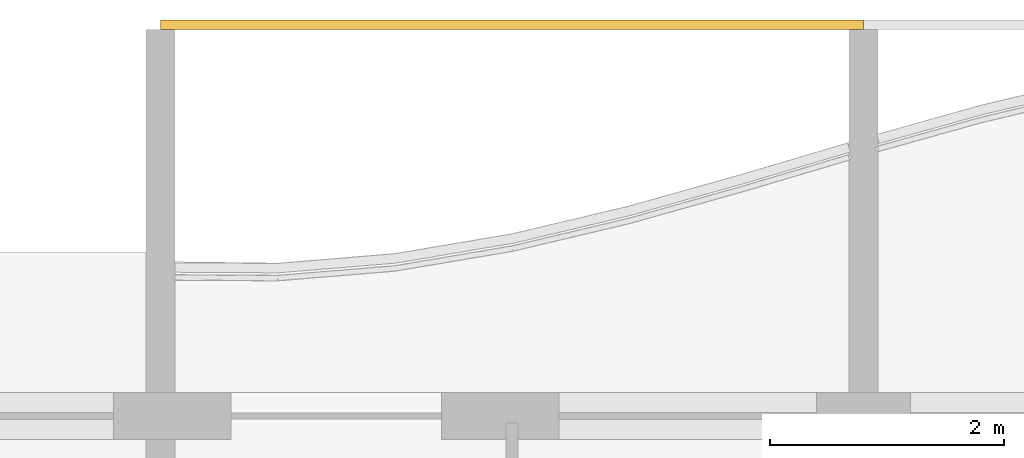
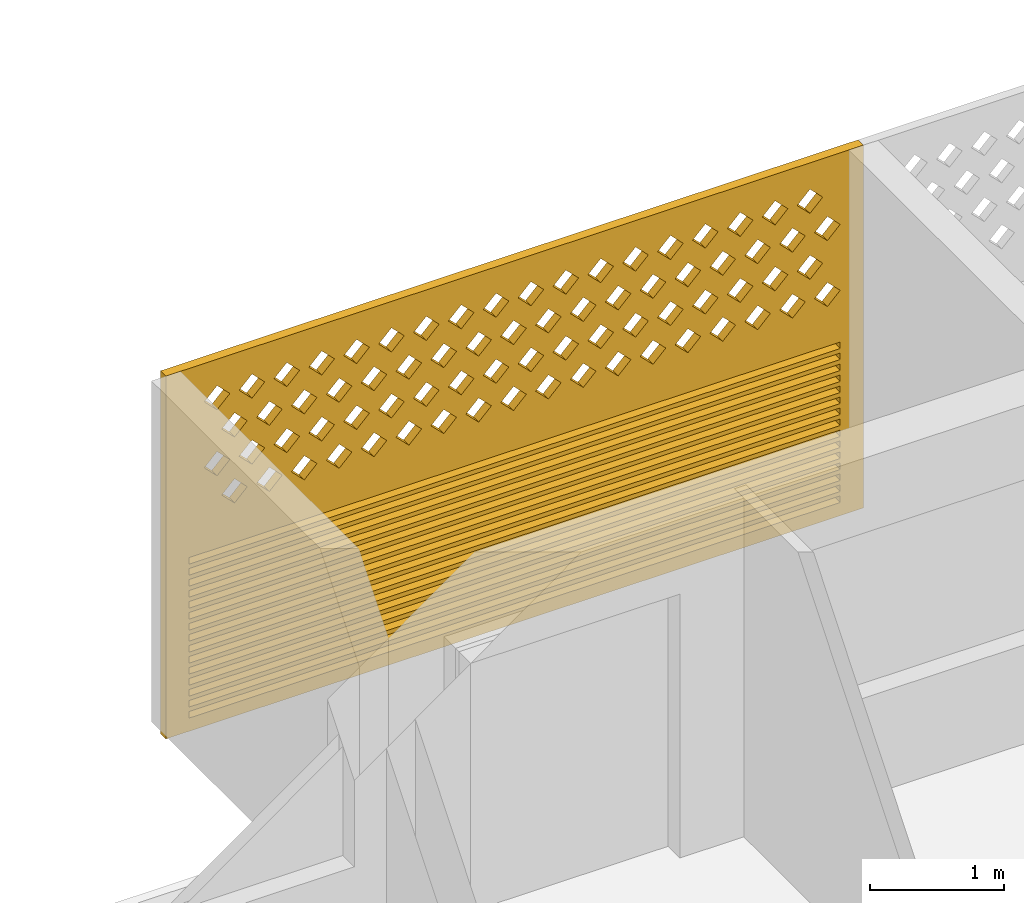
# One storey, part 24 of 26: 1 covering.
"""IFC4 building model written with IfcOpenShell, lengths in metres."""

from ifc_helpers import new_model, si_unit, direction, frame, origin, place, context, subcontext, project, spatial, polyline, outline, extrude, source, transform, mapped, material, material_profile, profile_set, type_object, element, save


model = new_model("IFC4")

# Units and contexts
model_context = context("Model", 3, precision=1e-05, world=origin(), true_north=direction((0.0, 1.0)))
body_context = subcontext(model_context, "Body", "Model", "MODEL_VIEW")
ifc_project = project(units=[si_unit("LENGTHUNIT", "METRE"), si_unit("AREAUNIT", "SQUARE_METRE"), si_unit("VOLUMEUNIT", "CUBIC_METRE"), si_unit("PLANEANGLEUNIT", "RADIAN"), si_unit("MASSUNIT", "GRAM", prefix="KILO")], contexts=[model_context])

# Site, building, storey
site_placement = place(None, origin())
site = spatial("IfcSite", under=ifc_project, at=site_placement, CompositionType="ELEMENT")
building_placement = place(site_placement, origin())
building = spatial("IfcBuilding", under=site, at=building_placement, Name="Poui Terraces", CompositionType="ELEMENT")
storey_placement = place(building_placement, frame((0.0, 0.0, 171.89990234375)))
storey = spatial("IfcBuildingStorey", under=building, at=storey_placement, Name="L47", CompositionType="ELEMENT", Elevation=171.89990234375)

# Covering
ifc_material = material(Name="Terracotta screen", Category="masonry")
ifc_material_profile = material_profile(ifc_material, outline(polyline([(-3.0, -1.64990234375), (3.0, -1.64990234375), (3.0, 1.64990234375), (-3.0, 1.64990234375), (-3.0, -1.64990234375)]), holes=[polyline([(-2.800048828125, 0.39990234375), (-2.68994140625, 0.2900390625), (-2.580078125, 0.39990234375), (-2.68994140625, 0.510009765625), (-2.800048828125, 0.39990234375)]), polyline([(-2.5, 0.39990234375), (-2.389892578125, 0.2900390625), (-2.280029296875, 0.39990234375), (-2.389892578125, 0.510009765625), (-2.5, 0.39990234375)]), polyline([(-2.199951171875, 0.39990234375), (-2.090087890625, 0.2900390625), (-1.97998046875, 0.39990234375), (-2.090087890625, 0.510009765625), (-2.199951171875, 0.39990234375)]), polyline([(-1.89990234375, 0.39990234375), (-1.7900390625, 0.2900390625), (-1.679931640625, 0.39990234375), (-1.7900390625, 0.510009765625), (-1.89990234375, 0.39990234375)]), polyline([(-1.60009765625, 0.39990234375), (-1.489990234375, 0.2900390625), (-1.3798828125, 0.39990234375), (-1.489990234375, 0.510009765625), (-1.60009765625, 0.39990234375)]), polyline([(-1.300048828125, 0.39990234375), (-1.18994140625, 0.2900390625), (-1.080078125, 0.39990234375), (-1.18994140625, 0.510009765625), (-1.300048828125, 0.39990234375)]), polyline([(-1.0, 0.39990234375), (-0.889892578125, 0.2900390625), (-0.780029296875, 0.39990234375), (-0.889892578125, 0.510009765625), (-1.0, 0.39990234375)]), polyline([(-0.699951171875, 0.39990234375), (-0.590087890625, 0.2900390625), (-0.47998046875, 0.39990234375), (-0.590087890625, 0.510009765625), (-0.699951171875, 0.39990234375)]), polyline([(-0.39990234375, 0.39990234375), (-0.2900390625, 0.2900390625), (-0.179931640625, 0.39990234375), (-0.2900390625, 0.510009765625), (-0.39990234375, 0.39990234375)]), polyline([(-0.10009765625, 0.39990234375), (0.010009765625, 0.2900390625), (0.1201171875, 0.39990234375), (0.010009765625, 0.510009765625), (-0.10009765625, 0.39990234375)]), polyline([(0.199951171875, 0.39990234375), (0.31005859375, 0.2900390625), (0.419921875, 0.39990234375), (0.31005859375, 0.510009765625), (0.199951171875, 0.39990234375)]), polyline([(0.5, 0.39990234375), (0.610107421875, 0.2900390625), (0.719970703125, 0.39990234375), (0.610107421875, 0.510009765625), (0.5, 0.39990234375)]), polyline([(0.800048828125, 0.39990234375), (0.909912109375, 0.2900390625), (1.02001953125, 0.39990234375), (0.909912109375, 0.510009765625), (0.800048828125, 0.39990234375)]), polyline([(1.10009765625, 0.39990234375), (1.2099609375, 0.2900390625), (1.320068359375, 0.39990234375), (1.2099609375, 0.510009765625), (1.10009765625, 0.39990234375)]), polyline([(1.39990234375, 0.39990234375), (1.510009765625, 0.2900390625), (1.6201171875, 0.39990234375), (1.510009765625, 0.510009765625), (1.39990234375, 0.39990234375)]), polyline([(1.699951171875, 0.39990234375), (1.81005859375, 0.2900390625), (1.919921875, 0.39990234375), (1.81005859375, 0.510009765625), (1.699951171875, 0.39990234375)]), polyline([(2.0, 0.39990234375), (2.110107421875, 0.2900390625), (2.219970703125, 0.39990234375), (2.110107421875, 0.510009765625), (2.0, 0.39990234375)]), polyline([(2.300048828125, 0.39990234375), (2.409912109375, 0.2900390625), (2.52001953125, 0.39990234375), (2.409912109375, 0.510009765625), (2.300048828125, 0.39990234375)]), polyline([(-2.64990234375, 0.699951171875), (-2.5400390625, 0.590087890625), (-2.429931640625, 0.699951171875), (-2.5400390625, 0.81005859375), (-2.64990234375, 0.699951171875)]), polyline([(-2.35009765625, 0.699951171875), (-2.239990234375, 0.590087890625), (-2.1298828125, 0.699951171875), (-2.239990234375, 0.81005859375), (-2.35009765625, 0.699951171875)]), polyline([(-2.050048828125, 0.699951171875), (-1.93994140625, 0.590087890625), (-1.830078125, 0.699951171875), (-1.93994140625, 0.81005859375), (-2.050048828125, 0.699951171875)]), polyline([(-1.75, 0.699951171875), (-1.639892578125, 0.590087890625), (-1.530029296875, 0.699951171875), (-1.639892578125, 0.81005859375), (-1.75, 0.699951171875)]), polyline([(-1.449951171875, 0.699951171875), (-1.340087890625, 0.590087890625), (-1.22998046875, 0.699951171875), (-1.340087890625, 0.81005859375), (-1.449951171875, 0.699951171875)]), polyline([(-1.14990234375, 0.699951171875), (-1.0400390625, 0.590087890625), (-0.929931640625, 0.699951171875), (-1.0400390625, 0.81005859375), (-1.14990234375, 0.699951171875)]), polyline([(-0.85009765625, 0.699951171875), (-0.739990234375, 0.590087890625), (-0.6298828125, 0.699951171875), (-0.739990234375, 0.81005859375), (-0.85009765625, 0.699951171875)]), polyline([(-0.550048828125, 0.699951171875), (-0.43994140625, 0.590087890625), (-0.330078125, 0.699951171875), (-0.43994140625, 0.81005859375), (-0.550048828125, 0.699951171875)]), polyline([(-0.25, 0.699951171875), (-0.139892578125, 0.590087890625), (-0.030029296875, 0.699951171875), (-0.139892578125, 0.81005859375), (-0.25, 0.699951171875)]), polyline([(0.050048828125, 0.699951171875), (0.159912109375, 0.590087890625), (0.27001953125, 0.699951171875), (0.159912109375, 0.81005859375), (0.050048828125, 0.699951171875)]), polyline([(0.35009765625, 0.699951171875), (0.4599609375, 0.590087890625), (0.570068359375, 0.699951171875), (0.4599609375, 0.81005859375), (0.35009765625, 0.699951171875)]), polyline([(0.64990234375, 0.699951171875), (0.760009765625, 0.590087890625), (0.8701171875, 0.699951171875), (0.760009765625, 0.81005859375), (0.64990234375, 0.699951171875)]), polyline([(0.949951171875, 0.699951171875), (1.06005859375, 0.590087890625), (1.169921875, 0.699951171875), (1.06005859375, 0.81005859375), (0.949951171875, 0.699951171875)]), polyline([(1.25, 0.699951171875), (1.360107421875, 0.590087890625), (1.469970703125, 0.699951171875), (1.360107421875, 0.81005859375), (1.25, 0.699951171875)]), polyline([(1.550048828125, 0.699951171875), (1.659912109375, 0.590087890625), (1.77001953125, 0.699951171875), (1.659912109375, 0.81005859375), (1.550048828125, 0.699951171875)]), polyline([(1.85009765625, 0.699951171875), (1.9599609375, 0.590087890625), (2.070068359375, 0.699951171875), (1.9599609375, 0.81005859375), (1.85009765625, 0.699951171875)]), polyline([(2.14990234375, 0.699951171875), (2.260009765625, 0.590087890625), (2.3701171875, 0.699951171875), (2.260009765625, 0.81005859375), (2.14990234375, 0.699951171875)]), polyline([(2.449951171875, 0.699951171875), (2.56005859375, 0.590087890625), (2.669921875, 0.699951171875), (2.56005859375, 0.81005859375), (2.449951171875, 0.699951171875)]), polyline([(-2.800048828125, 1.0), (-2.68994140625, 0.889892578125), (-2.580078125, 1.0), (-2.68994140625, 1.110107421875), (-2.800048828125, 1.0)]), polyline([(-2.5, 1.0), (-2.389892578125, 0.889892578125), (-2.280029296875, 1.0), (-2.389892578125, 1.110107421875), (-2.5, 1.0)]), polyline([(-2.199951171875, 1.0), (-2.090087890625, 0.889892578125), (-1.97998046875, 1.0), (-2.090087890625, 1.110107421875), (-2.199951171875, 1.0)]), polyline([(-1.89990234375, 1.0), (-1.7900390625, 0.889892578125), (-1.679931640625, 1.0), (-1.7900390625, 1.110107421875), (-1.89990234375, 1.0)]), polyline([(-1.60009765625, 1.0), (-1.489990234375, 0.889892578125), (-1.3798828125, 1.0), (-1.489990234375, 1.110107421875), (-1.60009765625, 1.0)]), polyline([(-1.300048828125, 1.0), (-1.18994140625, 0.889892578125), (-1.080078125, 1.0), (-1.18994140625, 1.110107421875), (-1.300048828125, 1.0)]), polyline([(-1.0, 1.0), (-0.889892578125, 0.889892578125), (-0.780029296875, 1.0), (-0.889892578125, 1.110107421875), (-1.0, 1.0)]), polyline([(-0.699951171875, 1.0), (-0.590087890625, 0.889892578125), (-0.47998046875, 1.0), (-0.590087890625, 1.110107421875), (-0.699951171875, 1.0)]), polyline([(-0.39990234375, 1.0), (-0.2900390625, 0.889892578125), (-0.179931640625, 1.0), (-0.2900390625, 1.110107421875), (-0.39990234375, 1.0)]), polyline([(-0.10009765625, 1.0), (0.010009765625, 0.889892578125), (0.1201171875, 1.0), (0.010009765625, 1.110107421875), (-0.10009765625, 1.0)]), polyline([(0.199951171875, 1.0), (0.31005859375, 0.889892578125), (0.419921875, 1.0), (0.31005859375, 1.110107421875), (0.199951171875, 1.0)]), polyline([(0.5, 1.0), (0.610107421875, 0.889892578125), (0.719970703125, 1.0), (0.610107421875, 1.110107421875), (0.5, 1.0)]), polyline([(0.800048828125, 1.0), (0.909912109375, 0.889892578125), (1.02001953125, 1.0), (0.909912109375, 1.110107421875), (0.800048828125, 1.0)]), polyline([(1.10009765625, 1.0), (1.2099609375, 0.889892578125), (1.320068359375, 1.0), (1.2099609375, 1.110107421875), (1.10009765625, 1.0)]), polyline([(1.39990234375, 1.0), (1.510009765625, 0.889892578125), (1.6201171875, 1.0), (1.510009765625, 1.110107421875), (1.39990234375, 1.0)]), polyline([(1.699951171875, 1.0), (1.81005859375, 0.889892578125), (1.919921875, 1.0), (1.81005859375, 1.110107421875), (1.699951171875, 1.0)]), polyline([(2.0, 1.0), (2.110107421875, 0.889892578125), (2.219970703125, 1.0), (2.110107421875, 1.110107421875), (2.0, 1.0)]), polyline([(2.300048828125, 1.0), (2.409912109375, 0.889892578125), (2.52001953125, 1.0), (2.409912109375, 1.110107421875), (2.300048828125, 1.0)]), polyline([(-2.64990234375, 1.300048828125), (-2.5400390625, 1.18994140625), (-2.429931640625, 1.300048828125), (-2.5400390625, 1.409912109375), (-2.64990234375, 1.300048828125)]), polyline([(-2.35009765625, 1.300048828125), (-2.239990234375, 1.18994140625), (-2.1298828125, 1.300048828125), (-2.239990234375, 1.409912109375), (-2.35009765625, 1.300048828125)]), polyline([(-2.050048828125, 1.300048828125), (-1.93994140625, 1.18994140625), (-1.830078125, 1.300048828125), (-1.93994140625, 1.409912109375), (-2.050048828125, 1.300048828125)]), polyline([(-1.75, 1.300048828125), (-1.639892578125, 1.18994140625), (-1.530029296875, 1.300048828125), (-1.639892578125, 1.409912109375), (-1.75, 1.300048828125)]), polyline([(-1.449951171875, 1.300048828125), (-1.340087890625, 1.18994140625), (-1.22998046875, 1.300048828125), (-1.340087890625, 1.409912109375), (-1.449951171875, 1.300048828125)]), polyline([(-1.14990234375, 1.300048828125), (-1.0400390625, 1.18994140625), (-0.929931640625, 1.300048828125), (-1.0400390625, 1.409912109375), (-1.14990234375, 1.300048828125)]), polyline([(-0.85009765625, 1.300048828125), (-0.739990234375, 1.18994140625), (-0.6298828125, 1.300048828125), (-0.739990234375, 1.409912109375), (-0.85009765625, 1.300048828125)]), polyline([(-0.550048828125, 1.300048828125), (-0.43994140625, 1.18994140625), (-0.330078125, 1.300048828125), (-0.43994140625, 1.409912109375), (-0.550048828125, 1.300048828125)]), polyline([(-0.25, 1.300048828125), (-0.139892578125, 1.18994140625), (-0.030029296875, 1.300048828125), (-0.139892578125, 1.409912109375), (-0.25, 1.300048828125)]), polyline([(0.050048828125, 1.300048828125), (0.159912109375, 1.18994140625), (0.27001953125, 1.300048828125), (0.159912109375, 1.409912109375), (0.050048828125, 1.300048828125)]), polyline([(0.35009765625, 1.300048828125), (0.4599609375, 1.18994140625), (0.570068359375, 1.300048828125), (0.4599609375, 1.409912109375), (0.35009765625, 1.300048828125)]), polyline([(0.64990234375, 1.300048828125), (0.760009765625, 1.18994140625), (0.8701171875, 1.300048828125), (0.760009765625, 1.409912109375), (0.64990234375, 1.300048828125)]), polyline([(0.949951171875, 1.300048828125), (1.06005859375, 1.18994140625), (1.169921875, 1.300048828125), (1.06005859375, 1.409912109375), (0.949951171875, 1.300048828125)]), polyline([(1.25, 1.300048828125), (1.360107421875, 1.18994140625), (1.469970703125, 1.300048828125), (1.360107421875, 1.409912109375), (1.25, 1.300048828125)]), polyline([(1.550048828125, 1.300048828125), (1.659912109375, 1.18994140625), (1.77001953125, 1.300048828125), (1.659912109375, 1.409912109375), (1.550048828125, 1.300048828125)]), polyline([(1.85009765625, 1.300048828125), (1.9599609375, 1.18994140625), (2.070068359375, 1.300048828125), (1.9599609375, 1.409912109375), (1.85009765625, 1.300048828125)]), polyline([(2.14990234375, 1.300048828125), (2.260009765625, 1.18994140625), (2.3701171875, 1.300048828125), (2.260009765625, 1.409912109375), (2.14990234375, 1.300048828125)]), polyline([(2.449951171875, 1.300048828125), (2.56005859375, 1.18994140625), (2.669921875, 1.300048828125), (2.56005859375, 1.409912109375), (2.449951171875, 1.300048828125)]), polyline([(-2.800048828125, -1.530029296875), (2.800048828125, -1.530029296875), (2.800048828125, -1.469970703125), (-2.800048828125, -1.469970703125), (-2.800048828125, -1.530029296875)]), polyline([(-2.800048828125, -1.429931640625), (2.800048828125, -1.429931640625), (2.800048828125, -1.3701171875), (-2.800048828125, -1.3701171875), (-2.800048828125, -1.429931640625)]), polyline([(-2.800048828125, -1.330078125), (2.800048828125, -1.330078125), (2.800048828125, -1.27001953125), (-2.800048828125, -1.27001953125), (-2.800048828125, -1.330078125)]), polyline([(-2.800048828125, -1.22998046875), (2.800048828125, -1.22998046875), (2.800048828125, -1.169921875), (-2.800048828125, -1.169921875), (-2.800048828125, -1.22998046875)]), polyline([(-2.800048828125, -1.1298828125), (2.800048828125, -1.1298828125), (2.800048828125, -1.070068359375), (-2.800048828125, -1.070068359375), (-2.800048828125, -1.1298828125)]), polyline([(-2.800048828125, -1.030029296875), (2.800048828125, -1.030029296875), (2.800048828125, -0.969970703125), (-2.800048828125, -0.969970703125), (-2.800048828125, -1.030029296875)]), polyline([(-2.800048828125, -0.929931640625), (2.800048828125, -0.929931640625), (2.800048828125, -0.8701171875), (-2.800048828125, -0.8701171875), (-2.800048828125, -0.929931640625)]), polyline([(-2.800048828125, -0.830078125), (2.800048828125, -0.830078125), (2.800048828125, -0.77001953125), (-2.800048828125, -0.77001953125), (-2.800048828125, -0.830078125)]), polyline([(-2.800048828125, -0.72998046875), (2.800048828125, -0.72998046875), (2.800048828125, -0.669921875), (-2.800048828125, -0.669921875), (-2.800048828125, -0.72998046875)]), polyline([(-2.800048828125, -0.6298828125), (2.800048828125, -0.6298828125), (2.800048828125, -0.570068359375), (-2.800048828125, -0.570068359375), (-2.800048828125, -0.6298828125)]), polyline([(-2.800048828125, -0.530029296875), (2.800048828125, -0.530029296875), (2.800048828125, -0.469970703125), (-2.800048828125, -0.469970703125), (-2.800048828125, -0.530029296875)]), polyline([(-2.800048828125, -0.429931640625), (2.800048828125, -0.429931640625), (2.800048828125, -0.3701171875), (-2.800048828125, -0.3701171875), (-2.800048828125, -0.429931640625)]), polyline([(-2.800048828125, -0.330078125), (2.800048828125, -0.330078125), (2.800048828125, -0.27001953125), (-2.800048828125, -0.27001953125), (-2.800048828125, -0.330078125)]), polyline([(-2.800048828125, -0.22998046875), (2.800048828125, -0.22998046875), (2.800048828125, -0.169921875), (-2.800048828125, -0.169921875), (-2.800048828125, -0.22998046875)]), polyline([(-2.800048828125, -0.1298828125), (2.800048828125, -0.1298828125), (2.800048828125, -0.070068359375), (-2.800048828125, -0.070068359375), (-2.800048828125, -0.1298828125)])]), Name="TERRACOTTA SCREEN AND JALOUSIE LOUVRE 6000X3300")
ifc_profile_set = profile_set([ifc_material_profile], Name="Terracotta screen")
covering_type = type_object("IfcCoveringType", Name="TERRACOTTA SCREEN AND JALOUSIE LOUVRE 6000X3300", PredefinedType="CLADDING", material=ifc_profile_set)
shared_shape = source(origin(), body_context, "Body", "SweptSolid", [
    extrude(outline(polyline([(-3.0, -1.64990234375), (3.0, -1.64990234375), (3.0, 1.64990234375), (-3.0, 1.64990234375), (-3.0, -1.64990234375)]), holes=[polyline([(-2.800048828125, 0.39990234375), (-2.68994140625, 0.2900390625), (-2.580078125, 0.39990234375), (-2.68994140625, 0.510009765625), (-2.800048828125, 0.39990234375)]), polyline([(-2.5, 0.39990234375), (-2.389892578125, 0.2900390625), (-2.280029296875, 0.39990234375), (-2.389892578125, 0.510009765625), (-2.5, 0.39990234375)]), polyline([(-2.199951171875, 0.39990234375), (-2.090087890625, 0.2900390625), (-1.97998046875, 0.39990234375), (-2.090087890625, 0.510009765625), (-2.199951171875, 0.39990234375)]), polyline([(-1.89990234375, 0.39990234375), (-1.7900390625, 0.2900390625), (-1.679931640625, 0.39990234375), (-1.7900390625, 0.510009765625), (-1.89990234375, 0.39990234375)]), polyline([(-1.60009765625, 0.39990234375), (-1.489990234375, 0.2900390625), (-1.3798828125, 0.39990234375), (-1.489990234375, 0.510009765625), (-1.60009765625, 0.39990234375)]), polyline([(-1.300048828125, 0.39990234375), (-1.18994140625, 0.2900390625), (-1.080078125, 0.39990234375), (-1.18994140625, 0.510009765625), (-1.300048828125, 0.39990234375)]), polyline([(-1.0, 0.39990234375), (-0.889892578125, 0.2900390625), (-0.780029296875, 0.39990234375), (-0.889892578125, 0.510009765625), (-1.0, 0.39990234375)]), polyline([(-0.699951171875, 0.39990234375), (-0.590087890625, 0.2900390625), (-0.47998046875, 0.39990234375), (-0.590087890625, 0.510009765625), (-0.699951171875, 0.39990234375)]), polyline([(-0.39990234375, 0.39990234375), (-0.2900390625, 0.2900390625), (-0.179931640625, 0.39990234375), (-0.2900390625, 0.510009765625), (-0.39990234375, 0.39990234375)]), polyline([(-0.10009765625, 0.39990234375), (0.010009765625, 0.2900390625), (0.1201171875, 0.39990234375), (0.010009765625, 0.510009765625), (-0.10009765625, 0.39990234375)]), polyline([(0.199951171875, 0.39990234375), (0.31005859375, 0.2900390625), (0.419921875, 0.39990234375), (0.31005859375, 0.510009765625), (0.199951171875, 0.39990234375)]), polyline([(0.5, 0.39990234375), (0.610107421875, 0.2900390625), (0.719970703125, 0.39990234375), (0.610107421875, 0.510009765625), (0.5, 0.39990234375)]), polyline([(0.800048828125, 0.39990234375), (0.909912109375, 0.2900390625), (1.02001953125, 0.39990234375), (0.909912109375, 0.510009765625), (0.800048828125, 0.39990234375)]), polyline([(1.10009765625, 0.39990234375), (1.2099609375, 0.2900390625), (1.320068359375, 0.39990234375), (1.2099609375, 0.510009765625), (1.10009765625, 0.39990234375)]), polyline([(1.39990234375, 0.39990234375), (1.510009765625, 0.2900390625), (1.6201171875, 0.39990234375), (1.510009765625, 0.510009765625), (1.39990234375, 0.39990234375)]), polyline([(1.699951171875, 0.39990234375), (1.81005859375, 0.2900390625), (1.919921875, 0.39990234375), (1.81005859375, 0.510009765625), (1.699951171875, 0.39990234375)]), polyline([(2.0, 0.39990234375), (2.110107421875, 0.2900390625), (2.219970703125, 0.39990234375), (2.110107421875, 0.510009765625), (2.0, 0.39990234375)]), polyline([(2.300048828125, 0.39990234375), (2.409912109375, 0.2900390625), (2.52001953125, 0.39990234375), (2.409912109375, 0.510009765625), (2.300048828125, 0.39990234375)]), polyline([(-2.64990234375, 0.699951171875), (-2.5400390625, 0.590087890625), (-2.429931640625, 0.699951171875), (-2.5400390625, 0.81005859375), (-2.64990234375, 0.699951171875)]), polyline([(-2.35009765625, 0.699951171875), (-2.239990234375, 0.590087890625), (-2.1298828125, 0.699951171875), (-2.239990234375, 0.81005859375), (-2.35009765625, 0.699951171875)]), polyline([(-2.050048828125, 0.699951171875), (-1.93994140625, 0.590087890625), (-1.830078125, 0.699951171875), (-1.93994140625, 0.81005859375), (-2.050048828125, 0.699951171875)]), polyline([(-1.75, 0.699951171875), (-1.639892578125, 0.590087890625), (-1.530029296875, 0.699951171875), (-1.639892578125, 0.81005859375), (-1.75, 0.699951171875)]), polyline([(-1.449951171875, 0.699951171875), (-1.340087890625, 0.590087890625), (-1.22998046875, 0.699951171875), (-1.340087890625, 0.81005859375), (-1.449951171875, 0.699951171875)]), polyline([(-1.14990234375, 0.699951171875), (-1.0400390625, 0.590087890625), (-0.929931640625, 0.699951171875), (-1.0400390625, 0.81005859375), (-1.14990234375, 0.699951171875)]), polyline([(-0.85009765625, 0.699951171875), (-0.739990234375, 0.590087890625), (-0.6298828125, 0.699951171875), (-0.739990234375, 0.81005859375), (-0.85009765625, 0.699951171875)]), polyline([(-0.550048828125, 0.699951171875), (-0.43994140625, 0.590087890625), (-0.330078125, 0.699951171875), (-0.43994140625, 0.81005859375), (-0.550048828125, 0.699951171875)]), polyline([(-0.25, 0.699951171875), (-0.139892578125, 0.590087890625), (-0.030029296875, 0.699951171875), (-0.139892578125, 0.81005859375), (-0.25, 0.699951171875)]), polyline([(0.050048828125, 0.699951171875), (0.159912109375, 0.590087890625), (0.27001953125, 0.699951171875), (0.159912109375, 0.81005859375), (0.050048828125, 0.699951171875)]), polyline([(0.35009765625, 0.699951171875), (0.4599609375, 0.590087890625), (0.570068359375, 0.699951171875), (0.4599609375, 0.81005859375), (0.35009765625, 0.699951171875)]), polyline([(0.64990234375, 0.699951171875), (0.760009765625, 0.590087890625), (0.8701171875, 0.699951171875), (0.760009765625, 0.81005859375), (0.64990234375, 0.699951171875)]), polyline([(0.949951171875, 0.699951171875), (1.06005859375, 0.590087890625), (1.169921875, 0.699951171875), (1.06005859375, 0.81005859375), (0.949951171875, 0.699951171875)]), polyline([(1.25, 0.699951171875), (1.360107421875, 0.590087890625), (1.469970703125, 0.699951171875), (1.360107421875, 0.81005859375), (1.25, 0.699951171875)]), polyline([(1.550048828125, 0.699951171875), (1.659912109375, 0.590087890625), (1.77001953125, 0.699951171875), (1.659912109375, 0.81005859375), (1.550048828125, 0.699951171875)]), polyline([(1.85009765625, 0.699951171875), (1.9599609375, 0.590087890625), (2.070068359375, 0.699951171875), (1.9599609375, 0.81005859375), (1.85009765625, 0.699951171875)]), polyline([(2.14990234375, 0.699951171875), (2.260009765625, 0.590087890625), (2.3701171875, 0.699951171875), (2.260009765625, 0.81005859375), (2.14990234375, 0.699951171875)]), polyline([(2.449951171875, 0.699951171875), (2.56005859375, 0.590087890625), (2.669921875, 0.699951171875), (2.56005859375, 0.81005859375), (2.449951171875, 0.699951171875)]), polyline([(-2.800048828125, 1.0), (-2.68994140625, 0.889892578125), (-2.580078125, 1.0), (-2.68994140625, 1.110107421875), (-2.800048828125, 1.0)]), polyline([(-2.5, 1.0), (-2.389892578125, 0.889892578125), (-2.280029296875, 1.0), (-2.389892578125, 1.110107421875), (-2.5, 1.0)]), polyline([(-2.199951171875, 1.0), (-2.090087890625, 0.889892578125), (-1.97998046875, 1.0), (-2.090087890625, 1.110107421875), (-2.199951171875, 1.0)]), polyline([(-1.89990234375, 1.0), (-1.7900390625, 0.889892578125), (-1.679931640625, 1.0), (-1.7900390625, 1.110107421875), (-1.89990234375, 1.0)]), polyline([(-1.60009765625, 1.0), (-1.489990234375, 0.889892578125), (-1.3798828125, 1.0), (-1.489990234375, 1.110107421875), (-1.60009765625, 1.0)]), polyline([(-1.300048828125, 1.0), (-1.18994140625, 0.889892578125), (-1.080078125, 1.0), (-1.18994140625, 1.110107421875), (-1.300048828125, 1.0)]), polyline([(-1.0, 1.0), (-0.889892578125, 0.889892578125), (-0.780029296875, 1.0), (-0.889892578125, 1.110107421875), (-1.0, 1.0)]), polyline([(-0.699951171875, 1.0), (-0.590087890625, 0.889892578125), (-0.47998046875, 1.0), (-0.590087890625, 1.110107421875), (-0.699951171875, 1.0)]), polyline([(-0.39990234375, 1.0), (-0.2900390625, 0.889892578125), (-0.179931640625, 1.0), (-0.2900390625, 1.110107421875), (-0.39990234375, 1.0)]), polyline([(-0.10009765625, 1.0), (0.010009765625, 0.889892578125), (0.1201171875, 1.0), (0.010009765625, 1.110107421875), (-0.10009765625, 1.0)]), polyline([(0.199951171875, 1.0), (0.31005859375, 0.889892578125), (0.419921875, 1.0), (0.31005859375, 1.110107421875), (0.199951171875, 1.0)]), polyline([(0.5, 1.0), (0.610107421875, 0.889892578125), (0.719970703125, 1.0), (0.610107421875, 1.110107421875), (0.5, 1.0)]), polyline([(0.800048828125, 1.0), (0.909912109375, 0.889892578125), (1.02001953125, 1.0), (0.909912109375, 1.110107421875), (0.800048828125, 1.0)]), polyline([(1.10009765625, 1.0), (1.2099609375, 0.889892578125), (1.320068359375, 1.0), (1.2099609375, 1.110107421875), (1.10009765625, 1.0)]), polyline([(1.39990234375, 1.0), (1.510009765625, 0.889892578125), (1.6201171875, 1.0), (1.510009765625, 1.110107421875), (1.39990234375, 1.0)]), polyline([(1.699951171875, 1.0), (1.81005859375, 0.889892578125), (1.919921875, 1.0), (1.81005859375, 1.110107421875), (1.699951171875, 1.0)]), polyline([(2.0, 1.0), (2.110107421875, 0.889892578125), (2.219970703125, 1.0), (2.110107421875, 1.110107421875), (2.0, 1.0)]), polyline([(2.300048828125, 1.0), (2.409912109375, 0.889892578125), (2.52001953125, 1.0), (2.409912109375, 1.110107421875), (2.300048828125, 1.0)]), polyline([(-2.64990234375, 1.300048828125), (-2.5400390625, 1.18994140625), (-2.429931640625, 1.300048828125), (-2.5400390625, 1.409912109375), (-2.64990234375, 1.300048828125)]), polyline([(-2.35009765625, 1.300048828125), (-2.239990234375, 1.18994140625), (-2.1298828125, 1.300048828125), (-2.239990234375, 1.409912109375), (-2.35009765625, 1.300048828125)]), polyline([(-2.050048828125, 1.300048828125), (-1.93994140625, 1.18994140625), (-1.830078125, 1.300048828125), (-1.93994140625, 1.409912109375), (-2.050048828125, 1.300048828125)]), polyline([(-1.75, 1.300048828125), (-1.639892578125, 1.18994140625), (-1.530029296875, 1.300048828125), (-1.639892578125, 1.409912109375), (-1.75, 1.300048828125)]), polyline([(-1.449951171875, 1.300048828125), (-1.340087890625, 1.18994140625), (-1.22998046875, 1.300048828125), (-1.340087890625, 1.409912109375), (-1.449951171875, 1.300048828125)]), polyline([(-1.14990234375, 1.300048828125), (-1.0400390625, 1.18994140625), (-0.929931640625, 1.300048828125), (-1.0400390625, 1.409912109375), (-1.14990234375, 1.300048828125)]), polyline([(-0.85009765625, 1.300048828125), (-0.739990234375, 1.18994140625), (-0.6298828125, 1.300048828125), (-0.739990234375, 1.409912109375), (-0.85009765625, 1.300048828125)]), polyline([(-0.550048828125, 1.300048828125), (-0.43994140625, 1.18994140625), (-0.330078125, 1.300048828125), (-0.43994140625, 1.409912109375), (-0.550048828125, 1.300048828125)]), polyline([(-0.25, 1.300048828125), (-0.139892578125, 1.18994140625), (-0.030029296875, 1.300048828125), (-0.139892578125, 1.409912109375), (-0.25, 1.300048828125)]), polyline([(0.050048828125, 1.300048828125), (0.159912109375, 1.18994140625), (0.27001953125, 1.300048828125), (0.159912109375, 1.409912109375), (0.050048828125, 1.300048828125)]), polyline([(0.35009765625, 1.300048828125), (0.4599609375, 1.18994140625), (0.570068359375, 1.300048828125), (0.4599609375, 1.409912109375), (0.35009765625, 1.300048828125)]), polyline([(0.64990234375, 1.300048828125), (0.760009765625, 1.18994140625), (0.8701171875, 1.300048828125), (0.760009765625, 1.409912109375), (0.64990234375, 1.300048828125)]), polyline([(0.949951171875, 1.300048828125), (1.06005859375, 1.18994140625), (1.169921875, 1.300048828125), (1.06005859375, 1.409912109375), (0.949951171875, 1.300048828125)]), polyline([(1.25, 1.300048828125), (1.360107421875, 1.18994140625), (1.469970703125, 1.300048828125), (1.360107421875, 1.409912109375), (1.25, 1.300048828125)]), polyline([(1.550048828125, 1.300048828125), (1.659912109375, 1.18994140625), (1.77001953125, 1.300048828125), (1.659912109375, 1.409912109375), (1.550048828125, 1.300048828125)]), polyline([(1.85009765625, 1.300048828125), (1.9599609375, 1.18994140625), (2.070068359375, 1.300048828125), (1.9599609375, 1.409912109375), (1.85009765625, 1.300048828125)]), polyline([(2.14990234375, 1.300048828125), (2.260009765625, 1.18994140625), (2.3701171875, 1.300048828125), (2.260009765625, 1.409912109375), (2.14990234375, 1.300048828125)]), polyline([(2.449951171875, 1.300048828125), (2.56005859375, 1.18994140625), (2.669921875, 1.300048828125), (2.56005859375, 1.409912109375), (2.449951171875, 1.300048828125)]), polyline([(-2.800048828125, -1.530029296875), (2.800048828125, -1.530029296875), (2.800048828125, -1.469970703125), (-2.800048828125, -1.469970703125), (-2.800048828125, -1.530029296875)]), polyline([(-2.800048828125, -1.429931640625), (2.800048828125, -1.429931640625), (2.800048828125, -1.3701171875), (-2.800048828125, -1.3701171875), (-2.800048828125, -1.429931640625)]), polyline([(-2.800048828125, -1.330078125), (2.800048828125, -1.330078125), (2.800048828125, -1.27001953125), (-2.800048828125, -1.27001953125), (-2.800048828125, -1.330078125)]), polyline([(-2.800048828125, -1.22998046875), (2.800048828125, -1.22998046875), (2.800048828125, -1.169921875), (-2.800048828125, -1.169921875), (-2.800048828125, -1.22998046875)]), polyline([(-2.800048828125, -1.1298828125), (2.800048828125, -1.1298828125), (2.800048828125, -1.070068359375), (-2.800048828125, -1.070068359375), (-2.800048828125, -1.1298828125)]), polyline([(-2.800048828125, -1.030029296875), (2.800048828125, -1.030029296875), (2.800048828125, -0.969970703125), (-2.800048828125, -0.969970703125), (-2.800048828125, -1.030029296875)]), polyline([(-2.800048828125, -0.929931640625), (2.800048828125, -0.929931640625), (2.800048828125, -0.8701171875), (-2.800048828125, -0.8701171875), (-2.800048828125, -0.929931640625)]), polyline([(-2.800048828125, -0.830078125), (2.800048828125, -0.830078125), (2.800048828125, -0.77001953125), (-2.800048828125, -0.77001953125), (-2.800048828125, -0.830078125)]), polyline([(-2.800048828125, -0.72998046875), (2.800048828125, -0.72998046875), (2.800048828125, -0.669921875), (-2.800048828125, -0.669921875), (-2.800048828125, -0.72998046875)]), polyline([(-2.800048828125, -0.6298828125), (2.800048828125, -0.6298828125), (2.800048828125, -0.570068359375), (-2.800048828125, -0.570068359375), (-2.800048828125, -0.6298828125)]), polyline([(-2.800048828125, -0.530029296875), (2.800048828125, -0.530029296875), (2.800048828125, -0.469970703125), (-2.800048828125, -0.469970703125), (-2.800048828125, -0.530029296875)]), polyline([(-2.800048828125, -0.429931640625), (2.800048828125, -0.429931640625), (2.800048828125, -0.3701171875), (-2.800048828125, -0.3701171875), (-2.800048828125, -0.429931640625)]), polyline([(-2.800048828125, -0.330078125), (2.800048828125, -0.330078125), (2.800048828125, -0.27001953125), (-2.800048828125, -0.27001953125), (-2.800048828125, -0.330078125)]), polyline([(-2.800048828125, -0.22998046875), (2.800048828125, -0.22998046875), (2.800048828125, -0.169921875), (-2.800048828125, -0.169921875), (-2.800048828125, -0.22998046875)]), polyline([(-2.800048828125, -0.1298828125), (2.800048828125, -0.1298828125), (2.800048828125, -0.070068359375), (-2.800048828125, -0.070068359375), (-2.800048828125, -0.1298828125)])]), origin(), (0.0, 0.0, 1.0), 0.080078125),
])
covering_placement = place(storey_placement, frame((69.0, 44.5, 1.4501953125), z_axis=(0.0, 1.0, 0.0), x_axis=(-1.0, 0.0, 0.0)))
element("IfcCovering", 1, at=covering_placement, inside=storey, type_object=covering_type, Name="SOLAR SCREEN AND JALOUSIE LOUVRE", PredefinedType="CLADDING", context=body_context, shape_type="MappedRepresentation", body=[
    mapped(shared_shape, transform((0.0, 0.0, 0.0))),
])

save(model, "model.ifc")
